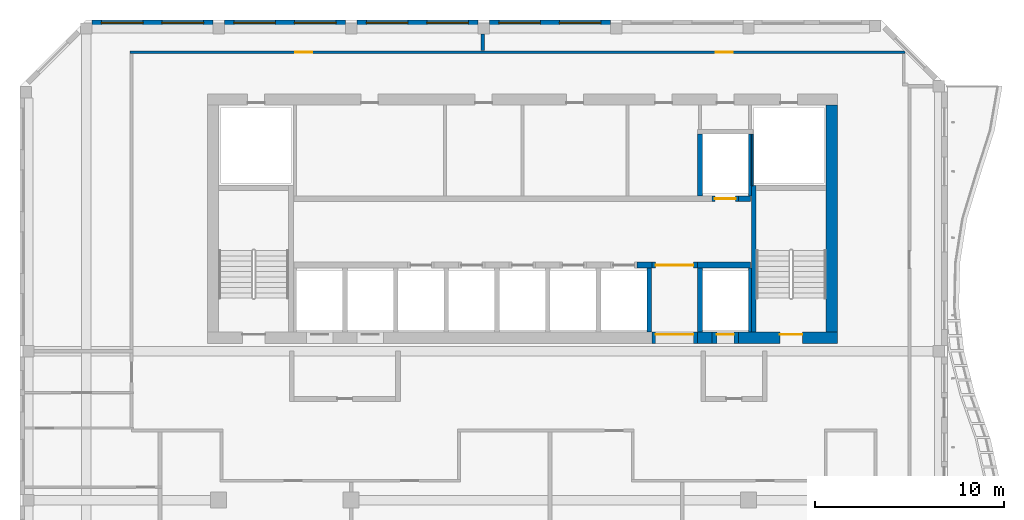
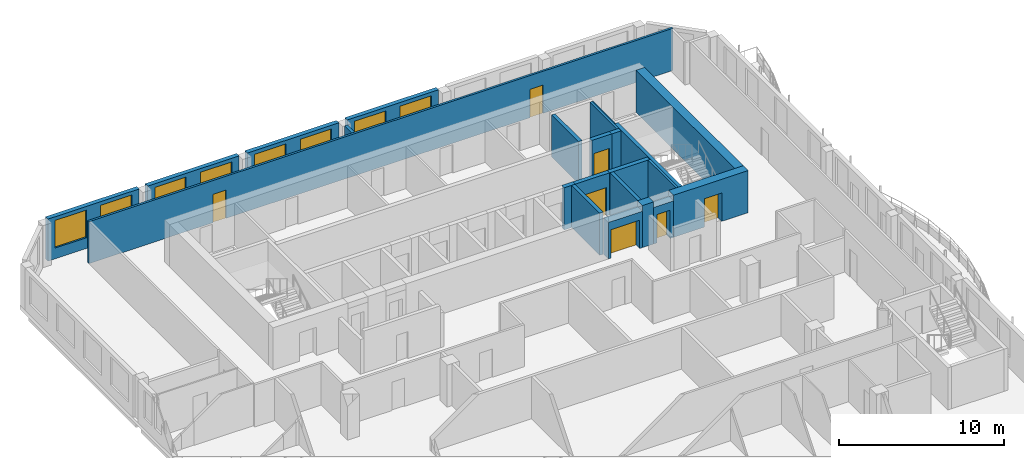
# One storey, part 7 of 18: 23 walls, 8 windows, 7 doors, 15 openings.
"""IFC4 building model written with IfcOpenShell, lengths in metres."""

from ifc_helpers import new_model, si_unit, direction, frame, frame_2d, origin, place, context, subcontext, project, spatial, rectangle, extrude, source, transform, mapped, material, layer, layer_set, type_object, element, fill, save


model = new_model("IFC4")

# Units and contexts
model_context = context("Model", 3, precision=1e-05, world=origin(), true_north=direction((0.0, 1.0)))
body_context = subcontext(model_context, "Body", "Model", "MODEL_VIEW")
ifc_project = project(units=[si_unit("LENGTHUNIT", "METRE"), si_unit("AREAUNIT", "SQUARE_METRE"), si_unit("VOLUMEUNIT", "CUBIC_METRE"), si_unit("PLANEANGLEUNIT", "RADIAN"), si_unit("MASSUNIT", "GRAM", prefix="KILO")], contexts=[model_context])

# Site, building, storey
site_placement = place(None, origin())
site = spatial("IfcSite", under=ifc_project, at=site_placement, CompositionType="ELEMENT")
building_placement = place(site_placement, origin())
building = spatial("IfcBuilding", under=site, at=building_placement, Name="Kilnfold Tower and Market Hall", CompositionType="ELEMENT")
storey_placement = place(building_placement, frame((0.0, 0.0, 312.0)))
storey = spatial("IfcBuildingStorey", under=building, at=storey_placement, Name="L78", CompositionType="ELEMENT", Elevation=312.0)

# Wall, openings, doors
ifc_material_1 = material(Name="Gypsum board on steel studs", Category="steel")
ifc_layer_1 = layer(ifc_material_1, 0.14990234375)
ifc_layer_set_1 = layer_set([ifc_layer_1], Name="Gypsum board on steel studs")
wall_type_1 = type_object("IfcWallType", Name="WALL CORRIDOR 150", PredefinedType="PARTITIONING", material=ifc_layer_set_1)
wall_1_placement = place(storey_placement, frame((-19.675048828125, 23.800048828125, 0.0), z_axis=(0.0, 0.0, 1.0), x_axis=(1.0, 0.0, 0.0)))
wall_1 = element("IfcWall", 1, at=wall_1_placement, inside=storey, type_object=wall_type_1, Name="Partition LY46.7", PredefinedType="PARTITIONING", context=body_context, shape_type="SweptSolid", body=[
    extrude(rectangle(XDim=40.949951171875, YDim=0.14990234375, at=frame_2d((20.47509765625, 0.0))), origin(), (0.0, 0.0, 1.0), 3.1201171875),
])
opening_1_placement = place(wall_1_placement, frame((8.716064453125, 0.0, 0.0)))
opening_1 = element("IfcOpeningElement", 2, at=opening_1_placement, cuts=wall_1, Name="Opening D2", PredefinedType="OPENING", context=body_context, shape_type="SweptSolid", body=[
    extrude(rectangle(XDim=0.89990234375, YDim=2.10009765625, at=frame_2d((0.449951171875, 1.050048828125))), frame((0.0, 0.0849609375, 0.0), z_axis=(0.0, -1.0, 0.0), x_axis=(1.0, 0.0, 0.0)), (0.0, 0.0, 1.0), 0.169921875),
])
opening_2_placement = place(wall_1_placement, frame((30.93408203125, 0.0, 0.0)))
opening_2 = element("IfcOpeningElement", 3, at=opening_2_placement, cuts=wall_1, Name="Opening D2", PredefinedType="OPENING", context=body_context, shape_type="SweptSolid", body=[
    extrude(rectangle(XDim=0.89990234375, YDim=2.10009765625, at=frame_2d((0.449951171875, 1.050048828125))), frame((0.0, 0.0849609375, 0.0), z_axis=(0.0, -1.0, 0.0), x_axis=(1.0, 0.0, 0.0)), (0.0, 0.0, 1.0), 0.169921875),
])
ifc_material_2 = material(Name="Timber veneer door leaf in steel frame", Category="steel")
door_type_1 = type_object("IfcDoorType", Name="DOOR ROOM 900 X2100", OperationType="NOTDEFINED", PredefinedType="DOOR", material=ifc_material_2)
door_1_placement = place(opening_1_placement, origin())
door_1 = element("IfcDoor", 4, at=door_1_placement, inside=storey, type_object=door_type_1, Name="Door D2", OperationType="SINGLE_SWING_LEFT", OverallHeight=2.10009765625, OverallWidth=0.89990234375, PredefinedType="DOOR", context=body_context, shape_type="SweptSolid", body=[
    extrude(rectangle(XDim=0.89990234375, YDim=2.10009765625, at=frame_2d((0.449951171875, 1.050048828125))), frame((0.0, 0.02490234375, 0.0), z_axis=(0.0, -1.0, 0.0), x_axis=(1.0, 0.0, 0.0)), (0.0, 0.0, 1.0), 0.050048828125),
])
fill(opening_1, door_1)
door_2_placement = place(opening_2_placement, origin())
door_2 = element("IfcDoor", 5, at=door_2_placement, inside=storey, type_object=door_type_1, Name="Door D2", OperationType="SINGLE_SWING_RIGHT", OverallHeight=2.10009765625, OverallWidth=0.89990234375, PredefinedType="DOOR", context=body_context, shape_type="SweptSolid", body=[
    extrude(rectangle(XDim=0.89990234375, YDim=2.10009765625, at=frame_2d((0.449951171875, 1.050048828125))), frame((0.0, 0.02490234375, 0.0), z_axis=(0.0, -1.0, 0.0), x_axis=(1.0, 0.0, 0.0)), (0.0, 0.0, 1.0), 0.050048828125),
])
fill(opening_2, door_2)

# Walls
ifc_material_3 = material(Name="Gypsum board on steel studs", Category="steel")
ifc_layer_2 = layer(ifc_material_3, 0.199951171875)
ifc_layer_set_2 = layer_set([ifc_layer_2], Name="Gypsum board on steel studs")
wall_type_2 = type_object("IfcWallType", Name="WALL PARTY 200", PredefinedType="PARTITIONING", material=ifc_layer_set_2)
wall_2_placement = place(storey_placement, frame((-1.052001953125, 23.876953125, 0.0), z_axis=(0.0, 0.0, 1.0), x_axis=(0.0, 1.0, 0.0)))
element("IfcWall", 6, at=wall_2_placement, inside=storey, type_object=wall_type_2, Name="Partition LY46.59", PredefinedType="PARTITIONING", context=body_context, shape_type="SweptSolid", body=[
    extrude(rectangle(XDim=0.873046875, YDim=0.199951171875, at=frame_2d((0.4365234375, 0.0))), origin(), (0.0, 0.0, 1.0), 3.1201171875),
])
ifc_material_4 = material(Name="Concrete C50", Category="concrete")
ifc_layer_3 = layer(ifc_material_4, 0.25)
ifc_layer_set_3 = layer_set([ifc_layer_3], Name="Concrete C50")
wall_type_3 = type_object("IfcWallType", Name="CORE WALL 250 C50", PredefinedType="SHEAR", material=ifc_layer_set_3)
shared_shape_1 = source(origin(), body_context, "Body", "SweptSolid", [
    extrude(rectangle(XDim=7.75, YDim=0.25, at=frame_2d((3.875, 0.0))), origin(), (0.0, 0.0, 1.0), 3.1201171875),
])
wall_3_placement = place(storey_placement, frame((13.27490234375, 9.0, 0.0), z_axis=(0.0, 0.0, 1.0), x_axis=(0.0, 1.0, 0.0)))
element("IfcWall", 7, at=wall_3_placement, inside=storey, type_object=wall_type_3, Name="Stair enclosure ST2", PredefinedType="SHEAR", context=body_context, shape_type="MappedRepresentation", body=[
    mapped(shared_shape_1, transform((0.0, 0.0, 0.0))),
])
ifc_material_5 = material(Name="Concrete C50", Category="concrete")
ifc_layer_4 = layer(ifc_material_5, 0.300048828125)
ifc_layer_set_4 = layer_set([ifc_layer_4], Name="Concrete C50")
wall_type_4 = type_object("IfcWallType", Name="CORE WALL 300 C50", PredefinedType="SHEAR", material=ifc_layer_set_4)
shared_shape_2 = source(origin(), body_context, "Body", "SweptSolid", [
    extrude(rectangle(XDim=0.77978515625, YDim=0.300048828125, at=frame_2d((0.389892578125, 0.0))), origin(), (0.0, 0.0, 1.0), 3.1201171875),
])
wall_4_placement = place(storey_placement, frame((7.110107421875, 12.550048828125, 0.0), z_axis=(0.0, 0.0, 1.0), x_axis=(1.0, 0.0, 0.0)))
element("IfcWall", 8, at=wall_4_placement, inside=storey, type_object=wall_type_4, Name="Core spine wall", PredefinedType="SHEAR", context=body_context, shape_type="MappedRepresentation", body=[
    mapped(shared_shape_2, transform((0.0, 0.0, 0.0))),
])
shared_shape_3 = source(origin(), body_context, "Body", "SweptSolid", [
    extrude(rectangle(XDim=2.820068359375, YDim=0.300048828125, at=frame_2d((1.41015625, 0.0))), origin(), (0.0, 0.0, 1.0), 3.1201171875),
])
wall_5_placement = place(storey_placement, frame((10.2900390625, 12.550048828125, 0.0), z_axis=(0.0, 0.0, 1.0), x_axis=(1.0, 0.0, 0.0)))
element("IfcWall", 9, at=wall_5_placement, inside=storey, type_object=wall_type_4, Name="Core spine wall", PredefinedType="SHEAR", context=body_context, shape_type="MappedRepresentation", body=[
    mapped(shared_shape_3, transform((0.0, 0.0, 0.0))),
])
shared_shape_4 = source(origin(), body_context, "Body", "SweptSolid", [
    extrude(rectangle(XDim=0.64013671875, YDim=0.300048828125, at=frame_2d((0.320068359375, 0.0))), origin(), (0.0, 0.0, 1.0), 3.1201171875),
])
wall_6_placement = place(storey_placement, frame((12.469970703125, 16.050048828125, 0.0), z_axis=(0.0, 0.0, 1.0), x_axis=(1.0, 0.0, 0.0)))
element("IfcWall", 10, at=wall_6_placement, inside=storey, type_object=wall_type_4, Name="Core spine wall", PredefinedType="SHEAR", context=body_context, shape_type="MappedRepresentation", body=[
    mapped(shared_shape_4, transform((0.0, 0.0, 0.0))),
])

# Wall, opening, door
ifc_material_6 = material(Name="Concrete C50", Category="concrete")
ifc_layer_5 = layer(ifc_material_6, 0.60009765625)
ifc_layer_set_5 = layer_set([ifc_layer_5], Name="Concrete C50")
wall_type_5 = type_object("IfcWallType", Name="CORE WALL 600 C50", PredefinedType="SHEAR", material=ifc_layer_set_5)
shared_shape_5 = source(origin(), body_context, "Body", "SweptSolid", [
    extrude(rectangle(XDim=5.22998046875, YDim=0.60009765625, at=frame_2d((2.614990234375, 0.0))), origin(), (0.0, 0.0, 1.0), 3.1201171875),
])
wall_7_placement = place(storey_placement, frame((12.469970703125, 8.699951171875, 0.0), z_axis=(0.0, 0.0, 1.0), x_axis=(1.0, 0.0, 0.0)))
wall_7 = element("IfcWall", 11, at=wall_7_placement, inside=storey, type_object=wall_type_5, Name="Core outer wall south", PredefinedType="SHEAR", context=body_context, shape_type="MappedRepresentation", body=[
    mapped(shared_shape_5, transform((0.0, 0.0, 0.0))),
])
opening_3_placement = place(wall_7_placement, frame((2.179931640625, 0.0, 0.0)))
opening_3 = element("IfcOpeningElement", 12, at=opening_3_placement, cuts=wall_7, Name="Opening SD1", PredefinedType="OPENING", context=body_context, shape_type="SweptSolid", body=[
    extrude(rectangle(XDim=1.199951171875, YDim=2.10009765625, at=frame_2d((0.60009765625, 1.050048828125))), frame((0.0, 0.31005859375, 0.0), z_axis=(0.0, -1.0, 0.0), x_axis=(1.0, 0.0, 0.0)), (0.0, 0.0, 1.0), 0.6201171875),
])
ifc_material_7 = material(Name="Steel door set with fire-resisting leaf", Category="steel")
door_type_2 = type_object("IfcDoorType", Name="STAIR FLOOR DOOR 1200X2100", OperationType="NOTDEFINED", PredefinedType="DOOR", material=ifc_material_7)
door_3_placement = place(opening_3_placement, origin())
door_3 = element("IfcDoor", 13, at=door_3_placement, inside=storey, type_object=door_type_2, Name="Exit stair ST2 door", OperationType="DOUBLE_DOOR_SINGLE_SWING", OverallHeight=2.10009765625, OverallWidth=1.199951171875, PredefinedType="DOOR", context=body_context, shape_type="SweptSolid", body=[
    extrude(rectangle(XDim=1.199951171875, YDim=2.10009765625, at=frame_2d((0.60009765625, 1.050048828125))), frame((0.0, 0.205078125, 0.0), z_axis=(0.0, -1.0, 0.0), x_axis=(1.0, 0.0, 0.0)), (0.0, 0.0, 1.0), 0.050048828125),
])
fill(opening_3, door_3)

# Walls
shared_shape_6 = source(origin(), body_context, "Body", "SweptSolid", [
    extrude(rectangle(XDim=0.780029296875, YDim=0.60009765625, at=frame_2d((0.39013671875, 0.0))), origin(), (0.0, 0.0, 1.0), 3.1201171875),
])
wall_8_placement = place(storey_placement, frame((10.2900390625, 8.699951171875, 0.0), z_axis=(0.0, 0.0, 1.0), x_axis=(1.0, 0.0, 0.0)))
element("IfcWall", 14, at=wall_8_placement, inside=storey, type_object=wall_type_5, Name="Core outer wall south", PredefinedType="SHEAR", context=body_context, shape_type="MappedRepresentation", body=[
    mapped(shared_shape_6, transform((0.0, 0.0, 0.0))),
])
shared_shape_7 = source(origin(), body_context, "Body", "SweptSolid", [
    extrude(rectangle(XDim=12.0, YDim=0.60009765625, at=frame_2d((6.0, 0.0))), origin(), (0.0, 0.0, 1.0), 3.1201171875),
])
wall_9_placement = place(storey_placement, frame((17.39990234375, 9.0, 0.0), z_axis=(0.0, 0.0, 1.0), x_axis=(0.0, 1.0, 0.0)))
element("IfcWall", 15, at=wall_9_placement, inside=storey, type_object=wall_type_5, Name="Core outer wall east", PredefinedType="SHEAR", context=body_context, shape_type="MappedRepresentation", body=[
    mapped(shared_shape_7, transform((0.0, 0.0, 0.0))),
])

# Wall, openings, windows
ifc_material_8 = material(Name="Precast concrete C50/60", Category="concrete")
ifc_layer_6 = layer(ifc_material_8, 0.300048828125)
ifc_layer_set_6 = layer_set([ifc_layer_6], Name="Precast concrete C50/60")
wall_type_6 = type_object("IfcWallType", Name="PRECAST WALL 300", PredefinedType="SOLIDWALL", material=ifc_layer_set_6)
shared_shape_8 = source(origin(), body_context, "Body", "SweptSolid", [
    extrude(rectangle(XDim=6.39990234375, YDim=0.300048828125, at=frame_2d((3.199951171875, 0.0))), origin(), (0.0, 0.0, 1.0), 3.1201171875),
])
wall_10_placement = place(storey_placement, frame((5.699951171875, 25.35009765625, 0.0), z_axis=(0.0, 0.0, 1.0), x_axis=(-1.0, 0.0, 0.0)))
wall_10 = element("IfcWall", 16, at=wall_10_placement, inside=storey, type_object=wall_type_6, Name="External wall L78 N", PredefinedType="SOLIDWALL", context=body_context, shape_type="MappedRepresentation", body=[
    mapped(shared_shape_8, transform((0.0, 0.0, 0.0))),
])
opening_4_placement = place(wall_10_placement, frame((0.5, 0.0, 0.800048828125)))
opening_4 = element("IfcOpeningElement", 17, at=opening_4_placement, cuts=wall_10, Name="Opening W3", PredefinedType="OPENING", context=body_context, shape_type="SweptSolid", body=[
    extrude(rectangle(XDim=2.199951171875, YDim=2.050048828125, at=frame_2d((1.10009765625, 1.02490234375))), frame((0.0, 0.16015625, 0.0), z_axis=(0.0, -1.0, 0.0), x_axis=(1.0, 0.0, 0.0)), (0.0, 0.0, 1.0), 0.320068359375),
])
opening_5_placement = place(wall_10_placement, frame((3.699951171875, 0.0, 0.800048828125)))
opening_5 = element("IfcOpeningElement", 18, at=opening_5_placement, cuts=wall_10, Name="Opening W3", PredefinedType="OPENING", context=body_context, shape_type="SweptSolid", body=[
    extrude(rectangle(XDim=2.199951171875, YDim=2.050048828125, at=frame_2d((1.10009765625, 1.02490234375))), frame((0.0, 0.16015625, 0.0), z_axis=(0.0, -1.0, 0.0), x_axis=(1.0, 0.0, 0.0)), (0.0, 0.0, 1.0), 0.320068359375),
])
ifc_material_9 = material(Name="Aluminium frame and double glazing", Category="aluminium")
window_type = type_object("IfcWindowType", Name="WINDOW W3 2200X2050", PartitioningType="SINGLE_PANEL", PredefinedType="WINDOW", material=ifc_material_9)
window_1_placement = place(opening_4_placement, origin())
window_1 = element("IfcWindow", 19, at=window_1_placement, inside=storey, type_object=window_type, Name="Window W3 L78 N-1", OverallHeight=2.050048828125, OverallWidth=2.199951171875, PartitioningType="SINGLE_PANEL", PredefinedType="WINDOW", context=body_context, shape_type="SweptSolid", body=[
    extrude(rectangle(XDim=2.199951171875, YDim=2.050048828125, at=frame_2d((1.10009765625, 1.02490234375))), frame((0.0, 0.030029296875, 0.0), z_axis=(0.0, -1.0, 0.0), x_axis=(1.0, 0.0, 0.0)), (0.0, 0.0, 1.0), 0.06005859375),
])
fill(opening_4, window_1)
window_2_placement = place(opening_5_placement, origin())
window_2 = element("IfcWindow", 20, at=window_2_placement, inside=storey, type_object=window_type, Name="Window W3 L78 N-2", OverallHeight=2.050048828125, OverallWidth=2.199951171875, PartitioningType="SINGLE_PANEL", PredefinedType="WINDOW", context=body_context, shape_type="SweptSolid", body=[
    extrude(rectangle(XDim=2.199951171875, YDim=2.050048828125, at=frame_2d((1.10009765625, 1.02490234375))), frame((0.0, 0.030029296875, 0.0), z_axis=(0.0, -1.0, 0.0), x_axis=(1.0, 0.0, 0.0)), (0.0, 0.0, 1.0), 0.06005859375),
])
fill(opening_5, window_2)

wall_11_placement = place(storey_placement, frame((-1.300048828125, 25.35009765625, 0.0), z_axis=(0.0, 0.0, 1.0), x_axis=(-1.0, 0.0, 0.0)))
wall_11 = element("IfcWall", 21, at=wall_11_placement, inside=storey, type_object=wall_type_6, Name="External wall L78 N", PredefinedType="SOLIDWALL", context=body_context, shape_type="MappedRepresentation", body=[
    mapped(shared_shape_8, transform((0.0, 0.0, 0.0))),
])
opening_6_placement = place(wall_11_placement, frame((0.5, 0.0, 0.800048828125)))
opening_6 = element("IfcOpeningElement", 22, at=opening_6_placement, cuts=wall_11, Name="Opening W3", PredefinedType="OPENING", context=body_context, shape_type="SweptSolid", body=[
    extrude(rectangle(XDim=2.199951171875, YDim=2.050048828125, at=frame_2d((1.10009765625, 1.02490234375))), frame((0.0, 0.16015625, 0.0), z_axis=(0.0, -1.0, 0.0), x_axis=(1.0, 0.0, 0.0)), (0.0, 0.0, 1.0), 0.320068359375),
])
opening_7_placement = place(wall_11_placement, frame((3.699951171875, 0.0, 0.800048828125)))
opening_7 = element("IfcOpeningElement", 23, at=opening_7_placement, cuts=wall_11, Name="Opening W3", PredefinedType="OPENING", context=body_context, shape_type="SweptSolid", body=[
    extrude(rectangle(XDim=2.199951171875, YDim=2.050048828125, at=frame_2d((1.10009765625, 1.02490234375))), frame((0.0, 0.16015625, 0.0), z_axis=(0.0, -1.0, 0.0), x_axis=(1.0, 0.0, 0.0)), (0.0, 0.0, 1.0), 0.320068359375),
])
window_3_placement = place(opening_6_placement, origin())
window_3 = element("IfcWindow", 24, at=window_3_placement, inside=storey, type_object=window_type, Name="Window W3 L78 N-1", OverallHeight=2.050048828125, OverallWidth=2.199951171875, PartitioningType="SINGLE_PANEL", PredefinedType="WINDOW", context=body_context, shape_type="SweptSolid", body=[
    extrude(rectangle(XDim=2.199951171875, YDim=2.050048828125, at=frame_2d((1.10009765625, 1.02490234375))), frame((0.0, 0.030029296875, 0.0), z_axis=(0.0, -1.0, 0.0), x_axis=(1.0, 0.0, 0.0)), (0.0, 0.0, 1.0), 0.06005859375),
])
fill(opening_6, window_3)
window_4_placement = place(opening_7_placement, origin())
window_4 = element("IfcWindow", 25, at=window_4_placement, inside=storey, type_object=window_type, Name="Window W3 L78 N-2", OverallHeight=2.050048828125, OverallWidth=2.199951171875, PartitioningType="SINGLE_PANEL", PredefinedType="WINDOW", context=body_context, shape_type="SweptSolid", body=[
    extrude(rectangle(XDim=2.199951171875, YDim=2.050048828125, at=frame_2d((1.10009765625, 1.02490234375))), frame((0.0, 0.030029296875, 0.0), z_axis=(0.0, -1.0, 0.0), x_axis=(1.0, 0.0, 0.0)), (0.0, 0.0, 1.0), 0.06005859375),
])
fill(opening_7, window_4)

wall_12_placement = place(storey_placement, frame((-8.300048828125, 25.35009765625, 0.0), z_axis=(0.0, 0.0, 1.0), x_axis=(-1.0, 0.0, 0.0)))
wall_12 = element("IfcWall", 26, at=wall_12_placement, inside=storey, type_object=wall_type_6, Name="External wall L78 N", PredefinedType="SOLIDWALL", context=body_context, shape_type="MappedRepresentation", body=[
    mapped(shared_shape_8, transform((0.0, 0.0, 0.0))),
])
opening_8_placement = place(wall_12_placement, frame((0.5, 0.0, 0.800048828125)))
opening_8 = element("IfcOpeningElement", 27, at=opening_8_placement, cuts=wall_12, Name="Opening W3", PredefinedType="OPENING", context=body_context, shape_type="SweptSolid", body=[
    extrude(rectangle(XDim=2.199951171875, YDim=2.050048828125, at=frame_2d((1.10009765625, 1.02490234375))), frame((0.0, 0.16015625, 0.0), z_axis=(0.0, -1.0, 0.0), x_axis=(1.0, 0.0, 0.0)), (0.0, 0.0, 1.0), 0.320068359375),
])
opening_9_placement = place(wall_12_placement, frame((3.699951171875, 0.0, 0.800048828125)))
opening_9 = element("IfcOpeningElement", 28, at=opening_9_placement, cuts=wall_12, Name="Opening W3", PredefinedType="OPENING", context=body_context, shape_type="SweptSolid", body=[
    extrude(rectangle(XDim=2.199951171875, YDim=2.050048828125, at=frame_2d((1.10009765625, 1.02490234375))), frame((0.0, 0.16015625, 0.0), z_axis=(0.0, -1.0, 0.0), x_axis=(1.0, 0.0, 0.0)), (0.0, 0.0, 1.0), 0.320068359375),
])
window_5_placement = place(opening_8_placement, origin())
window_5 = element("IfcWindow", 29, at=window_5_placement, inside=storey, type_object=window_type, Name="Window W3 L78 N-1", OverallHeight=2.050048828125, OverallWidth=2.199951171875, PartitioningType="SINGLE_PANEL", PredefinedType="WINDOW", context=body_context, shape_type="SweptSolid", body=[
    extrude(rectangle(XDim=2.199951171875, YDim=2.050048828125, at=frame_2d((1.10009765625, 1.02490234375))), frame((0.0, 0.030029296875, 0.0), z_axis=(0.0, -1.0, 0.0), x_axis=(1.0, 0.0, 0.0)), (0.0, 0.0, 1.0), 0.06005859375),
])
fill(opening_8, window_5)
window_6_placement = place(opening_9_placement, origin())
window_6 = element("IfcWindow", 30, at=window_6_placement, inside=storey, type_object=window_type, Name="Window W3 L78 N-2", OverallHeight=2.050048828125, OverallWidth=2.199951171875, PartitioningType="SINGLE_PANEL", PredefinedType="WINDOW", context=body_context, shape_type="SweptSolid", body=[
    extrude(rectangle(XDim=2.199951171875, YDim=2.050048828125, at=frame_2d((1.10009765625, 1.02490234375))), frame((0.0, 0.030029296875, 0.0), z_axis=(0.0, -1.0, 0.0), x_axis=(1.0, 0.0, 0.0)), (0.0, 0.0, 1.0), 0.06005859375),
])
fill(opening_9, window_6)

wall_13_placement = place(storey_placement, frame((-15.300048828125, 25.35009765625, 0.0), z_axis=(0.0, 0.0, 1.0), x_axis=(-1.0, 0.0, 0.0)))
wall_13 = element("IfcWall", 31, at=wall_13_placement, inside=storey, type_object=wall_type_6, Name="External wall L78 N", PredefinedType="SOLIDWALL", context=body_context, shape_type="MappedRepresentation", body=[
    mapped(shared_shape_8, transform((0.0, 0.0, 0.0))),
])
opening_10_placement = place(wall_13_placement, frame((0.5, 0.0, 0.800048828125)))
opening_10 = element("IfcOpeningElement", 32, at=opening_10_placement, cuts=wall_13, Name="Opening W3", PredefinedType="OPENING", context=body_context, shape_type="SweptSolid", body=[
    extrude(rectangle(XDim=2.199951171875, YDim=2.050048828125, at=frame_2d((1.10009765625, 1.02490234375))), frame((0.0, 0.16015625, 0.0), z_axis=(0.0, -1.0, 0.0), x_axis=(1.0, 0.0, 0.0)), (0.0, 0.0, 1.0), 0.320068359375),
])
opening_11_placement = place(wall_13_placement, frame((3.699951171875, 0.0, 0.800048828125)))
opening_11 = element("IfcOpeningElement", 33, at=opening_11_placement, cuts=wall_13, Name="Opening W3", PredefinedType="OPENING", context=body_context, shape_type="SweptSolid", body=[
    extrude(rectangle(XDim=2.199951171875, YDim=2.050048828125, at=frame_2d((1.10009765625, 1.02490234375))), frame((0.0, 0.16015625, 0.0), z_axis=(0.0, -1.0, 0.0), x_axis=(1.0, 0.0, 0.0)), (0.0, 0.0, 1.0), 0.320068359375),
])
window_7_placement = place(opening_10_placement, origin())
window_7 = element("IfcWindow", 34, at=window_7_placement, inside=storey, type_object=window_type, Name="Window W3 L78 N-1", OverallHeight=2.050048828125, OverallWidth=2.199951171875, PartitioningType="SINGLE_PANEL", PredefinedType="WINDOW", context=body_context, shape_type="SweptSolid", body=[
    extrude(rectangle(XDim=2.199951171875, YDim=2.050048828125, at=frame_2d((1.10009765625, 1.02490234375))), frame((0.0, 0.030029296875, 0.0), z_axis=(0.0, -1.0, 0.0), x_axis=(1.0, 0.0, 0.0)), (0.0, 0.0, 1.0), 0.06005859375),
])
fill(opening_10, window_7)
window_8_placement = place(opening_11_placement, origin())
window_8 = element("IfcWindow", 35, at=window_8_placement, inside=storey, type_object=window_type, Name="Window W3 L78 N-2", OverallHeight=2.050048828125, OverallWidth=2.199951171875, PartitioningType="SINGLE_PANEL", PredefinedType="WINDOW", context=body_context, shape_type="SweptSolid", body=[
    extrude(rectangle(XDim=2.199951171875, YDim=2.050048828125, at=frame_2d((1.10009765625, 1.02490234375))), frame((0.0, 0.030029296875, 0.0), z_axis=(0.0, -1.0, 0.0), x_axis=(1.0, 0.0, 0.0)), (0.0, 0.0, 1.0), 0.06005859375),
])
fill(opening_11, window_8)

# Wall, opening, door
ifc_material_10 = material(Name="Gypsum shaft wall system")
ifc_layer_7 = layer(ifc_material_10, 0.300048828125)
ifc_layer_set_7 = layer_set([ifc_layer_7], Name="Gypsum shaft wall system")
wall_type_7 = type_object("IfcWallType", Name="SHAFT WALL 300", PredefinedType="PARTITIONING", material=ifc_layer_set_7)
shared_shape_9 = source(origin(), body_context, "Body", "SweptSolid", [
    extrude(rectangle(XDim=1.39990234375, YDim=0.300048828125, at=frame_2d((0.699951171875, 0.0))), origin(), (0.0, 0.0, 1.0), 3.1201171875),
])
wall_14_placement = place(storey_placement, frame((11.070068359375, 16.050048828125, 0.0), z_axis=(0.0, 0.0, 1.0), x_axis=(1.0, 0.0, 0.0)))
wall_14 = element("IfcWall", 36, at=wall_14_placement, inside=storey, type_object=wall_type_7, Name="Lift shaft front wall", PredefinedType="PARTITIONING", context=body_context, shape_type="MappedRepresentation", body=[
    mapped(shared_shape_9, transform((0.0, 0.0, 0.0))),
])
opening_12_placement = place(wall_14_placement, frame((0.14990234375, 0.0, 0.0)))
opening_12 = element("IfcOpeningElement", 37, at=opening_12_placement, cuts=wall_14, Name="Opening LD2", PredefinedType="OPENING", context=body_context, shape_type="SweptSolid", body=[
    extrude(rectangle(XDim=1.10009765625, YDim=2.10009765625, at=frame_2d((0.550048828125, 1.050048828125))), frame((0.0, 0.16015625, 0.0), z_axis=(0.0, -1.0, 0.0), x_axis=(1.0, 0.0, 0.0)), (0.0, 0.0, 1.0), 0.320068359375),
])
ifc_material_11 = material(Name="Steel door set with fire-resisting leaf", Category="steel")
door_type_3 = type_object("IfcDoorType", Name="LANDING DOOR 1100X2100", OperationType="NOTDEFINED", PredefinedType="DOOR", material=ifc_material_11)
door_4_placement = place(opening_12_placement, origin())
door_4 = element("IfcDoor", 38, at=door_4_placement, inside=storey, type_object=door_type_3, Name="Landing door HR6", OperationType="DOUBLE_DOOR_SLIDING", OverallHeight=2.10009765625, OverallWidth=1.10009765625, PredefinedType="DOOR", context=body_context, shape_type="SweptSolid", body=[
    extrude(rectangle(XDim=1.10009765625, YDim=2.10009765625, at=frame_2d((0.550048828125, 1.050048828125))), frame((0.0, 0.02490234375, 0.0), z_axis=(0.0, -1.0, 0.0), x_axis=(1.0, 0.0, 0.0)), (0.0, 0.0, 1.0), 0.050048828125),
])
fill(opening_12, door_4)

shared_shape_10 = source(origin(), body_context, "Body", "SweptSolid", [
    extrude(rectangle(XDim=2.400146484375, YDim=0.300048828125, at=frame_2d((1.2001953125, 0.0))), origin(), (0.0, 0.0, 1.0), 3.1201171875),
])
wall_15_placement = place(storey_placement, frame((7.889892578125, 12.550048828125, 0.0), z_axis=(0.0, 0.0, 1.0), x_axis=(1.0, 0.0, 0.0)))
wall_15 = element("IfcWall", 39, at=wall_15_placement, inside=storey, type_object=wall_type_7, Name="Lift shaft front wall", PredefinedType="PARTITIONING", context=body_context, shape_type="MappedRepresentation", body=[
    mapped(shared_shape_10, transform((0.0, 0.0, 0.0))),
])
opening_13_placement = place(wall_15_placement, frame((0.199951171875, 0.0, 0.0)))
opening_13 = element("IfcOpeningElement", 40, at=opening_13_placement, cuts=wall_15, Name="Opening VD2", PredefinedType="OPENING", context=body_context, shape_type="SweptSolid", body=[
    extrude(rectangle(XDim=2.0, YDim=2.10009765625, at=frame_2d((1.0, 1.050048828125))), frame((0.0, 0.16015625, 0.0), z_axis=(0.0, -1.0, 0.0), x_axis=(1.0, 0.0, 0.0)), (0.0, 0.0, 1.0), 0.320068359375),
])
ifc_material_12 = material(Name="Steel door set with fire-resisting leaf", Category="steel")
door_type_4 = type_object("IfcDoorType", Name="LIFT LOBBY ENTRANCE DOOR 2000X2100", OperationType="NOTDEFINED", PredefinedType="DOOR", material=ifc_material_12)
door_5_placement = place(opening_13_placement, origin())
door_5 = element("IfcDoor", 41, at=door_5_placement, inside=storey, type_object=door_type_4, Name="Lift lobby entrance door", OperationType="DOUBLE_DOOR_SINGLE_SWING", OverallHeight=2.10009765625, OverallWidth=2.0, PredefinedType="DOOR", context=body_context, shape_type="SweptSolid", body=[
    extrude(rectangle(XDim=2.0, YDim=2.10009765625, at=frame_2d((1.0, 1.050048828125))), frame((0.0, 0.02490234375, 0.0), z_axis=(0.0, -1.0, 0.0), x_axis=(1.0, 0.0, 0.0)), (0.0, 0.0, 1.0), 0.050048828125),
])
fill(opening_13, door_5)

# Walls
ifc_material_13 = material(Name="Gypsum shaft wall system")
ifc_layer_8 = layer(ifc_material_13, 0.1650390625)
ifc_layer_set_8 = layer_set([ifc_layer_8], Name="Gypsum shaft wall system")
wall_type_8 = type_object("IfcWallType", Name="SHAFT WALL 165", PredefinedType="PARTITIONING", material=ifc_layer_set_8)
shared_shape_11 = source(origin(), body_context, "Body", "SweptSolid", [
    extrude(rectangle(XDim=3.275146484375, YDim=0.1650390625, at=frame_2d((1.6376953125, 0.0))), origin(), (0.0, 0.0, 1.0), 3.1201171875),
])
wall_16_placement = place(storey_placement, frame((13.0673828125, 16.199951171875, 0.0), z_axis=(0.0, 0.0, 1.0), x_axis=(0.0, 1.0, 0.0)))
element("IfcWall", 42, at=wall_16_placement, inside=storey, type_object=wall_type_8, Name="Lift shaft wall", PredefinedType="PARTITIONING", context=body_context, shape_type="MappedRepresentation", body=[
    mapped(shared_shape_11, transform((0.0, 0.0, 0.0))),
])
ifc_material_14 = material(Name="Gypsum shaft wall system")
ifc_layer_9 = layer(ifc_material_14, 0.25)
ifc_layer_set_9 = layer_set([ifc_layer_9], Name="Gypsum shaft wall system")
wall_type_9 = type_object("IfcWallType", Name="SHAFT WALL 250", PredefinedType="PARTITIONING", material=ifc_layer_set_9)
shared_shape_12 = source(origin(), body_context, "Body", "SweptSolid", [
    extrude(rectangle(XDim=3.275146484375, YDim=0.25, at=frame_2d((1.6376953125, 0.0))), origin(), (0.0, 0.0, 1.0), 3.1201171875),
])
wall_17_placement = place(storey_placement, frame((10.429931640625, 16.199951171875, 0.0), z_axis=(0.0, 0.0, 1.0), x_axis=(0.0, 1.0, 0.0)))
element("IfcWall", 43, at=wall_17_placement, inside=storey, type_object=wall_type_9, Name="Lift shaft wall", PredefinedType="PARTITIONING", context=body_context, shape_type="MappedRepresentation", body=[
    mapped(shared_shape_12, transform((0.0, 0.0, 0.0))),
])
ifc_material_15 = material(Name="Gypsum shaft wall system")
ifc_layer_10 = layer(ifc_material_15, 0.0849609375)
ifc_layer_set_10 = layer_set([ifc_layer_10], Name="Gypsum shaft wall system")
wall_type_10 = type_object("IfcWallType", Name="SHAFT WALL 85", PredefinedType="PARTITIONING", material=ifc_layer_set_10)
shared_shape_13 = source(origin(), body_context, "Body", "SweptSolid", [
    extrude(rectangle(XDim=2.72509765625, YDim=0.0849609375, at=frame_2d((1.362548828125, 0.0))), origin(), (0.0, 0.0, 1.0), 3.1201171875),
])
wall_18_placement = place(storey_placement, frame((13.1923828125, 16.75, 0.0), z_axis=(0.0, 0.0, 1.0), x_axis=(0.0, 1.0, 0.0)))
element("IfcWall", 44, at=wall_18_placement, inside=storey, type_object=wall_type_10, Name="Lift shaft wall", PredefinedType="PARTITIONING", context=body_context, shape_type="MappedRepresentation", body=[
    mapped(shared_shape_13, transform((0.0, 0.0, 0.0))),
])
shared_shape_14 = source(origin(), body_context, "Body", "SweptSolid", [
    extrude(rectangle(XDim=3.39990234375, YDim=0.25, at=frame_2d((1.699951171875, 0.0))), origin(), (0.0, 0.0, 1.0), 3.1201171875),
])
for number, where, z_axis, x_axis, name in (
    (45, (10.429931640625, 9.0, 0.0), (0.0, 0.0, 1.0), (0.0, 1.0, 0.0), "Lift shaft wall"),
    (46, (7.75, 9.0, 0.0), (0.0, 0.0, 1.0), (0.0, 1.0, 0.0), "Lift shaft wall"),
):
    element("IfcWall", number, at=place(storey_placement, frame(where, z_axis=z_axis, x_axis=x_axis)), inside=storey, type_object=wall_type_9, Name=name, PredefinedType="PARTITIONING", context=body_context, shape_type="MappedRepresentation", body=[
        mapped(shared_shape_14, transform((0.0, 0.0, 0.0))),
    ])
shared_shape_15 = source(origin(), body_context, "Body", "SweptSolid", [
    extrude(rectangle(XDim=3.39990234375, YDim=0.1650390625, at=frame_2d((1.699951171875, 0.0))), origin(), (0.0, 0.0, 1.0), 3.1201171875),
])
wall_19_placement = place(storey_placement, frame((13.0673828125, 9.0, 0.0), z_axis=(0.0, 0.0, 1.0), x_axis=(0.0, 1.0, 0.0)))
element("IfcWall", 47, at=wall_19_placement, inside=storey, type_object=wall_type_8, Name="Lift shaft wall", PredefinedType="PARTITIONING", context=body_context, shape_type="MappedRepresentation", body=[
    mapped(shared_shape_15, transform((0.0, 0.0, 0.0))),
])

# Wall, opening, door
ifc_material_16 = material(Name="Gypsum shaft wall system")
ifc_layer_11 = layer(ifc_material_16, 0.60009765625)
ifc_layer_set_11 = layer_set([ifc_layer_11], Name="Gypsum shaft wall system")
wall_type_11 = type_object("IfcWallType", Name="LOBBY WALL 600", PredefinedType="PARTITIONING", material=ifc_layer_set_11)
shared_shape_16 = source(origin(), body_context, "Body", "SweptSolid", [
    extrude(rectangle(XDim=1.39990234375, YDim=0.60009765625, at=frame_2d((0.699951171875, 0.0))), origin(), (0.0, 0.0, 1.0), 2.699951171875),
])
wall_20_placement = place(storey_placement, frame((11.070068359375, 8.699951171875, 0.0), z_axis=(0.0, 0.0, 1.0), x_axis=(1.0, 0.0, 0.0)))
wall_20 = element("IfcWall", 48, at=wall_20_placement, inside=storey, type_object=wall_type_11, Name="Core wall infill", PredefinedType="PARTITIONING", context=body_context, shape_type="MappedRepresentation", body=[
    mapped(shared_shape_16, transform((0.0, 0.0, 0.0))),
])
opening_14_placement = place(wall_20_placement, frame((0.25, 0.0, 0.0)))
opening_14 = element("IfcOpeningElement", 49, at=opening_14_placement, cuts=wall_20, Name="Opening LD1", PredefinedType="OPENING", context=body_context, shape_type="SweptSolid", body=[
    extrude(rectangle(XDim=0.89990234375, YDim=2.10009765625, at=frame_2d((0.449951171875, 1.050048828125))), frame((0.0, 0.31005859375, 0.0), z_axis=(0.0, -1.0, 0.0), x_axis=(1.0, 0.0, 0.0)), (0.0, 0.0, 1.0), 0.6201171875),
])
ifc_material_17 = material(Name="Steel door set with fire-resisting leaf", Category="steel")
door_type_5 = type_object("IfcDoorType", Name="FIREFIGHTING LANDING DOOR 900X2100", OperationType="NOTDEFINED", PredefinedType="DOOR", material=ifc_material_17)
door_6_placement = place(opening_14_placement, origin())
door_6 = element("IfcDoor", 50, at=door_6_placement, inside=storey, type_object=door_type_5, Name="Landing door FF3", OperationType="SLIDING_TO_LEFT", OverallHeight=2.10009765625, OverallWidth=0.89990234375, PredefinedType="DOOR", context=body_context, shape_type="SweptSolid", body=[
    extrude(rectangle(XDim=0.89990234375, YDim=2.10009765625, at=frame_2d((0.449951171875, 1.050048828125))), frame((0.0, 0.205078125, 0.0), z_axis=(0.0, -1.0, 0.0), x_axis=(1.0, 0.0, 0.0)), (0.0, 0.0, 1.0), 0.050048828125),
])
fill(opening_14, door_6)

shared_shape_17 = source(origin(), body_context, "Body", "SweptSolid", [
    extrude(rectangle(XDim=2.400146484375, YDim=0.60009765625, at=frame_2d((1.2001953125, 0.0))), origin(), (0.0, 0.0, 1.0), 2.699951171875),
])
wall_21_placement = place(storey_placement, frame((7.889892578125, 8.699951171875, 0.0), z_axis=(0.0, 0.0, 1.0), x_axis=(1.0, 0.0, 0.0)))
wall_21 = element("IfcWall", 51, at=wall_21_placement, inside=storey, type_object=wall_type_11, Name="Core wall infill", PredefinedType="PARTITIONING", context=body_context, shape_type="MappedRepresentation", body=[
    mapped(shared_shape_17, transform((0.0, 0.0, 0.0))),
])
opening_15_placement = place(wall_21_placement, frame((0.199951171875, 0.0, 0.0)))
opening_15 = element("IfcOpeningElement", 52, at=opening_15_placement, cuts=wall_21, Name="Opening VD2", PredefinedType="OPENING", context=body_context, shape_type="SweptSolid", body=[
    extrude(rectangle(XDim=2.0, YDim=2.10009765625, at=frame_2d((1.0, 1.050048828125))), frame((0.0, 0.31005859375, 0.0), z_axis=(0.0, -1.0, 0.0), x_axis=(1.0, 0.0, 0.0)), (0.0, 0.0, 1.0), 0.6201171875),
])
door_7_placement = place(opening_15_placement, origin())
door_7 = element("IfcDoor", 53, at=door_7_placement, inside=storey, type_object=door_type_4, Name="Lift lobby entrance door", OperationType="DOUBLE_DOOR_SINGLE_SWING", OverallHeight=2.10009765625, OverallWidth=2.0, PredefinedType="DOOR", context=body_context, shape_type="SweptSolid", body=[
    extrude(rectangle(XDim=2.0, YDim=2.10009765625, at=frame_2d((1.0, 1.050048828125))), frame((0.0, 0.205078125, 0.0), z_axis=(0.0, -1.0, 0.0), x_axis=(1.0, 0.0, 0.0)), (0.0, 0.0, 1.0), 0.050048828125),
])
fill(opening_15, door_7)

save(model, "model.ifc")
